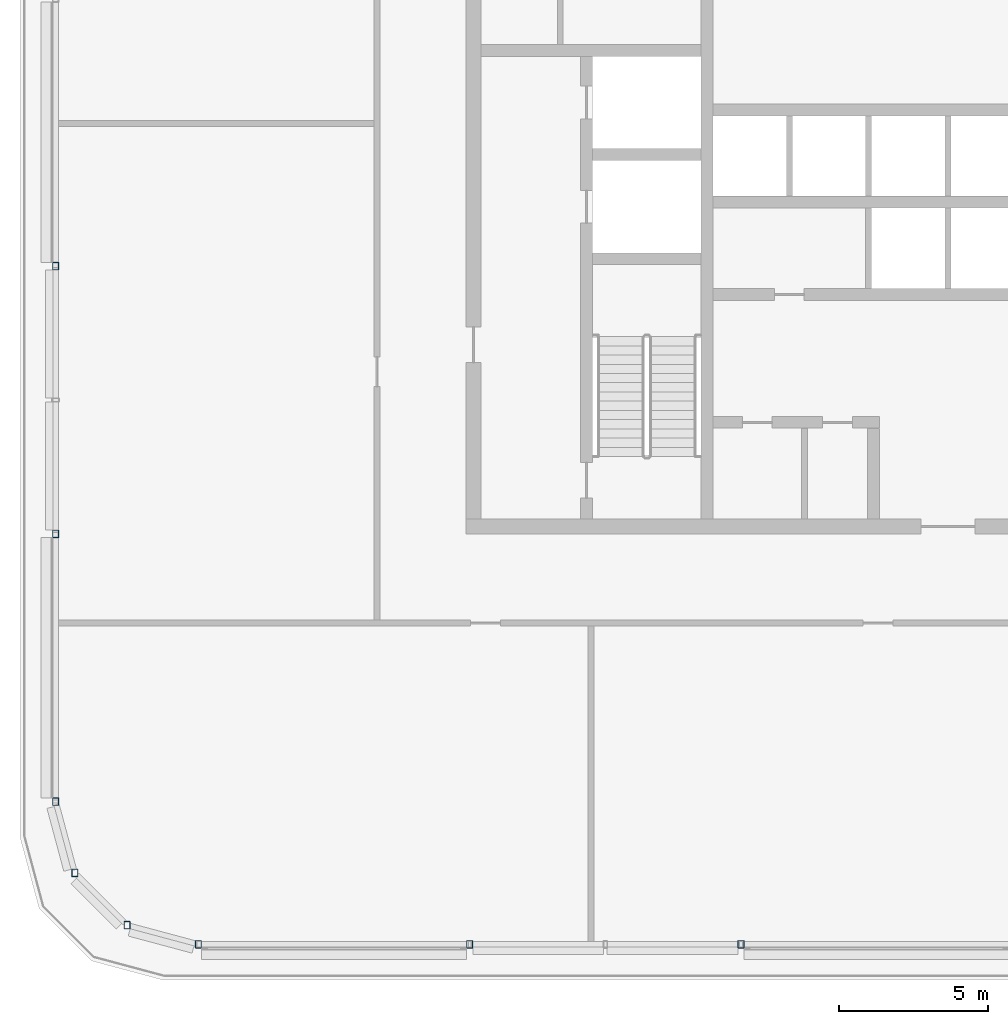
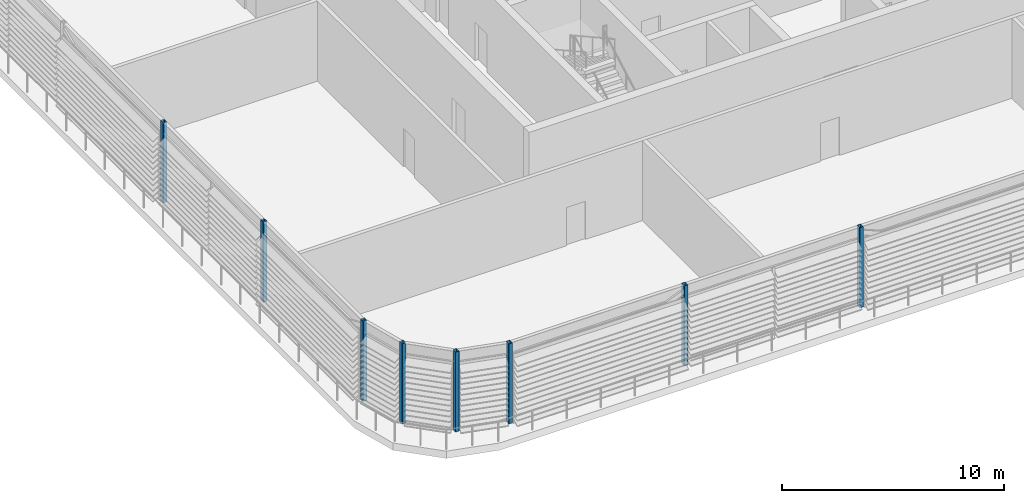
# One storey, part 1 of 29: 8 columns.
"""IFC4 building model written with IfcOpenShell, lengths in metres."""

import ifcopenshell
import ifcopenshell.guid

model = None  # the IFC model being written
_history = None  # IfcOwnerHistory: only IFC2X3 demands one
_inside = {}  # id of a spatial element -> (the spatial element, [elements in it])
_under = {}  # id of a project, library or spatial element -> (it, [spatial elements below it])
_declared = {}  # id of a project -> (the project, [libraries it declares])
_typed = {}  # id of a type object -> (the type object, [elements of that type])
_made_of = {}  # id of a material, layer set ... -> (it, [elements and type objects made of it])


def new_model(schema):
    """Start an empty IFC model of exactly this schema.

    Asked for "IFC4X3", IfcOpenShell would pick the latest addendum, in which some entities
    have other attributes; the version numbers below select the first issue.
    IFC2X3 requires an IfcOwnerHistory on every rooted entity: one is made here for all.
    """
    global model, _history
    if schema == "IFC4X3":
        model = ifcopenshell.file(schema_version=(4, 3, 0, 0))
    else:
        model = ifcopenshell.file(schema=schema)
    _inside.clear()
    _under.clear()
    _declared.clear()
    _typed.clear()
    _made_of.clear()
    _history = None
    if model.schema == "IFC2X3":
        org = make("IfcOrganization", Name="unknown")
        user = make(
            "IfcPersonAndOrganization",
            ThePerson=make("IfcPerson", FamilyName="unknown"),
            TheOrganization=org,
        )
        app = make(
            "IfcApplication",
            ApplicationDeveloper=org,
            Version="unknown",
            ApplicationFullName="unknown",
            ApplicationIdentifier="unknown",
        )
        _history = make(
            "IfcOwnerHistory",
            OwningUser=user,
            OwningApplication=app,
            ChangeAction="ADDED",
            CreationDate=0,
        )
    return model


def make(cls, **values):
    """One entity of the class cls with the attributes given. An attribute that is None is left unset."""
    return model.create_entity(
        cls, **{name: value for name, value in values.items() if value is not None}
    )


def rooted(cls, **values):
    """An entity with a GlobalId (a new one), such as an element, a storey or a relation."""
    return make(cls, GlobalId=ifcopenshell.guid.new(), OwnerHistory=_history, **values)


def si_unit(unit_type, name, prefix=None):
    """IfcSIUnit, for example si_unit("LENGTHUNIT", "METRE", prefix="MILLI")."""
    return make("IfcSIUnit", UnitType=unit_type, Prefix=prefix, Name=name)


def assignment(units):
    """IfcUnitAssignment: the units of a project."""
    return None if units is None else make("IfcUnitAssignment", Units=units)


def point(xyz):
    """IfcCartesianPoint."""
    return None if xyz is None else make("IfcCartesianPoint", Coordinates=xyz)


def direction(xyz):
    """IfcDirection."""
    return None if xyz is None else make("IfcDirection", DirectionRatios=xyz)


def frame(location, z_axis=None, x_axis=None):
    """IfcAxis2Placement3D, a coordinate frame: its origin and axes. An axis left out is left unset."""
    return make(
        "IfcAxis2Placement3D",
        Location=point(location),
        Axis=direction(z_axis),
        RefDirection=direction(x_axis),
    )


def frame_2d(location, x_axis=None):
    """IfcAxis2Placement2D, a coordinate frame in the plane: its origin and x axis."""
    return make(
        "IfcAxis2Placement2D", Location=point(location), RefDirection=direction(x_axis)
    )


def origin():
    """The frame at (0, 0, 0) with its axes left unset."""
    return frame((0.0, 0.0, 0.0))


def origin_2d():
    """The frame at (0, 0) in the plane with its x axis left unset."""
    return frame_2d((0.0, 0.0))


def place(relative_to, where):
    """IfcLocalPlacement: puts the frame where relative to a parent placement (None: the world)."""
    return make(
        "IfcLocalPlacement", PlacementRelTo=relative_to, RelativePlacement=where
    )


def context(
    kind, dimensions, precision=None, world=None, true_north=None, identifier=None
):
    """IfcGeometricRepresentationContext, for example the 3D "Model" context."""
    return make(
        "IfcGeometricRepresentationContext",
        ContextIdentifier=identifier,
        ContextType=kind,
        CoordinateSpaceDimension=dimensions,
        Precision=precision,
        WorldCoordinateSystem=world,
        TrueNorth=true_north,
    )


def subcontext(parent, identifier, kind, view, scale=None):
    """IfcGeometricRepresentationSubContext, for example "Body" below "Model"."""
    return make(
        "IfcGeometricRepresentationSubContext",
        ContextIdentifier=identifier,
        ContextType=kind,
        ParentContext=parent,
        TargetScale=scale,
        TargetView=view,
    )


def project(units=None, contexts=None):
    """IfcProject with its units and contexts."""
    return rooted(
        "IfcProject",
        Name="project",
        RepresentationContexts=contexts,
        UnitsInContext=assignment(units),
    )


def spatial(cls, under=None, at=None, **own):
    """A site, building, storey or space (cls), placed at a placement, below another one or the project."""
    s = rooted(cls, ObjectPlacement=at, **own)
    if under is not None:
        _under.setdefault(under.id(), (under, []))[1].append(s)
    return s


def profile(cls, at=None, kind="AREA", **sizes):
    """A parametric profile (cls). Its sizes go by their IFC names, for example OverallWidth=200.0."""
    return make(cls, ProfileType=kind, Position=at, **sizes)


def hollow_rectangle(**sizes):
    """IfcRectangleHollowProfileDef."""
    return profile("IfcRectangleHollowProfileDef", **sizes)


def extrude(swept, where, along, depth):
    """IfcExtrudedAreaSolid: the profile swept, set in the frame where, extruded along a direction by depth."""
    return make(
        "IfcExtrudedAreaSolid",
        SweptArea=swept,
        Position=where,
        ExtrudedDirection=direction(along),
        Depth=depth,
    )


def shape(context_of_items, identifier, shape_type, items):
    """IfcShapeRepresentation: the items that make up one representation, for example the "Body"."""
    return make(
        "IfcShapeRepresentation",
        ContextOfItems=context_of_items,
        RepresentationIdentifier=identifier,
        RepresentationType=shape_type,
        Items=items,
    )


def material(Name=None, Category=None):
    """IfcMaterial."""
    return make("IfcMaterial", Name=Name, Category=Category)


def material_profile(
    of_material, cross_section, Name=None, Category=None, Priority=None
):
    """IfcMaterialProfile: a cross section and its material."""
    return make(
        "IfcMaterialProfile",
        Name=Name,
        Material=of_material,
        Profile=cross_section,
        Priority=Priority,
        Category=Category,
    )


def profile_set(profiles, Name=None, composite=None):
    """IfcMaterialProfileSet."""
    return make(
        "IfcMaterialProfileSet",
        Name=Name,
        MaterialProfiles=profiles,
        CompositeProfile=composite,
    )


def made_of(thing, what):
    """Note that an element or type object is made of a material, layer set ...; save() writes the relation."""
    if what is not None:
        _made_of.setdefault(what.id(), (what, []))[1].append(thing)
    return thing


def type_object(cls, material=None, **own):
    """A type object (cls), such as IfcWallType, which elements share."""
    return made_of(rooted(cls, **own), material)


def element(
    cls,
    number,
    at=None,
    inside=None,
    cuts=None,
    type_object=None,
    material=None,
    context=None,
    identifier="Body",
    shape_type=None,
    held_by="IfcProductDefinitionShape",
    body=None,
    shapes=None,
    **own,
):
    """One element of the class cls, such as IfcWall. Its Tag is "e" and its number.

    at: its placement. inside: the storey or other place that contains it. cuts: it is an
    opening in that element (IfcRelVoidsElement). A single representation is given by context,
    identifier, shape_type and body (its items); several are given by shapes. held_by: the class
    of the entity that holds the representations. save() writes the other relations.
    """
    e = rooted(cls, Tag="e%d" % number, ObjectPlacement=at, **own)
    if body is not None:
        shapes = [shape(context, identifier, shape_type, body)]
    if shapes is not None:
        e.Representation = make(held_by, Representations=shapes)
    if inside is not None:
        _inside.setdefault(inside.id(), (inside, []))[1].append(e)
    if cuts is not None:
        rooted(
            "IfcRelVoidsElement", RelatingBuildingElement=cuts, RelatedOpeningElement=e
        )
    if type_object is not None:
        _typed.setdefault(type_object.id(), (type_object, []))[1].append(e)
    return made_of(e, material)


def aggregate(whole, parts):
    """IfcRelAggregates: a whole, such as a stair, and the parts it consists of."""
    return rooted("IfcRelAggregates", RelatingObject=whole, RelatedObjects=parts)


def save(model, path):
    """Write the relations noted so far, then the file.

    IfcRelAggregates (storeys below a building ...), IfcRelContainedInSpatialStructure (elements
    in a storey), IfcRelDefinesByType, IfcRelAssociatesMaterial and IfcRelDeclares: one each for
    every whole, place, type object, material and project.
    """
    for whole, parts in _under.values():
        aggregate(whole, parts)
    for where, things in _inside.values():
        rooted(
            "IfcRelContainedInSpatialStructure",
            RelatedElements=things,
            RelatingStructure=where,
        )
    for kind, things in _typed.values():
        rooted("IfcRelDefinesByType", RelatedObjects=things, RelatingType=kind)
    for what, things in _made_of.values():
        rooted("IfcRelAssociatesMaterial", RelatedObjects=things, RelatingMaterial=what)
    for by, libraries in _declared.values():
        rooted("IfcRelDeclares", RelatingContext=by, RelatedDefinitions=libraries)
    model.write(path)


model = new_model("IFC4")

# Units and contexts
model_context = context("Model", 3, precision=1e-05, world=origin(), true_north=direction((0.0, 1.0)))
body_context = subcontext(model_context, "Body", "Model", "MODEL_VIEW")
ifc_project = project(units=[si_unit("LENGTHUNIT", "METRE"), si_unit("AREAUNIT", "SQUARE_METRE"), si_unit("VOLUMEUNIT", "CUBIC_METRE"), si_unit("PLANEANGLEUNIT", "RADIAN"), si_unit("MASSUNIT", "GRAM", prefix="KILO")], contexts=[model_context])

# Site, building, storey
site_placement = place(None, origin())
site = spatial("IfcSite", under=ifc_project, at=site_placement, CompositionType="ELEMENT")
building_placement = place(site_placement, origin())
building = spatial("IfcBuilding", under=site, at=building_placement, Name="Madar Terraces", CompositionType="ELEMENT")
storey_placement = place(building_placement, frame((0.0, 0.0, 296.300048828125)))
storey = spatial("IfcBuildingStorey", under=building, at=storey_placement, Name="L77", CompositionType="ELEMENT", Elevation=296.300048828125)

# Columns
ifc_material = material(Name="Steel ASTM A500 Grade C", Category="steel")
ifc_material_profile = material_profile(ifc_material, hollow_rectangle(XDim=0.203125, YDim=0.25390625, WallThickness=0.009521484375, InnerFilletRadius=0.00439453125, OuterFilletRadius=0.01318359375, at=origin_2d()), Name="HSS10x8x.375")
ifc_profile_set = profile_set([ifc_material_profile], Name="Steel ASTM A500 Grade C")
column_type = type_object("IfcColumnType", Name="CF1 HSS10x8x.375", PredefinedType="COLUMN", material=ifc_profile_set)
for number, where, z_axis, x_axis, name in (
    (1, (6.0, 1.199951171875, 0.0), (0.0, 0.0, 1.0), (1.0, 0.0, 0.0), "Crown frame column CF1"),
    (2, (15.1201171875, 1.199951171875, 0.0), (0.0, 0.0, 1.0), (1.0, 0.0, 0.0), "Crown frame column CF1"),
    (3, (24.239990234375, 1.199951171875, 0.0), (0.0, 0.0, 1.0), (1.0, 0.0, 0.0), "Crown frame column CF1"),
    (4, (1.199951171875, 24.0, 0.0), (0.0, 0.0, 1.0), (1.0, 0.0, 0.0), "Crown frame column CF1"),
    (5, (1.199951171875, 15.0, 0.0), (0.0, 0.0, 1.0), (1.0, 0.0, 0.0), "Crown frame column CF1"),
    (6, (1.199951171875, 6.0, 0.0), (0.0, 0.0, 1.0), (1.0, 0.0, 0.0), "Crown frame column CF1"),
    (7, (1.843017578125, 3.60009765625, 0.0), (0.0, 0.0, 1.0), (1.0, 0.0, 0.0), "Crown frame column CF1"),
    (8, (3.60009765625, 1.843017578125, 0.0), (0.0, 0.0, 1.0), (1.0, 0.0, 0.0), "Crown frame column CF1"),
):
    element("IfcColumn", number, at=place(storey_placement, frame(where, z_axis=z_axis, x_axis=x_axis)), inside=storey, type_object=column_type, Name=name, PredefinedType="COLUMN", context=body_context, shape_type="SweptSolid", body=[
        extrude(hollow_rectangle(XDim=0.203125, YDim=0.25390625, WallThickness=0.009521484375, InnerFilletRadius=0.00439453125, OuterFilletRadius=0.01318359375, at=origin_2d()), origin(), (0.0, 0.0, 1.0), 4.39990234375),
    ])

save(model, "model.ifc")
